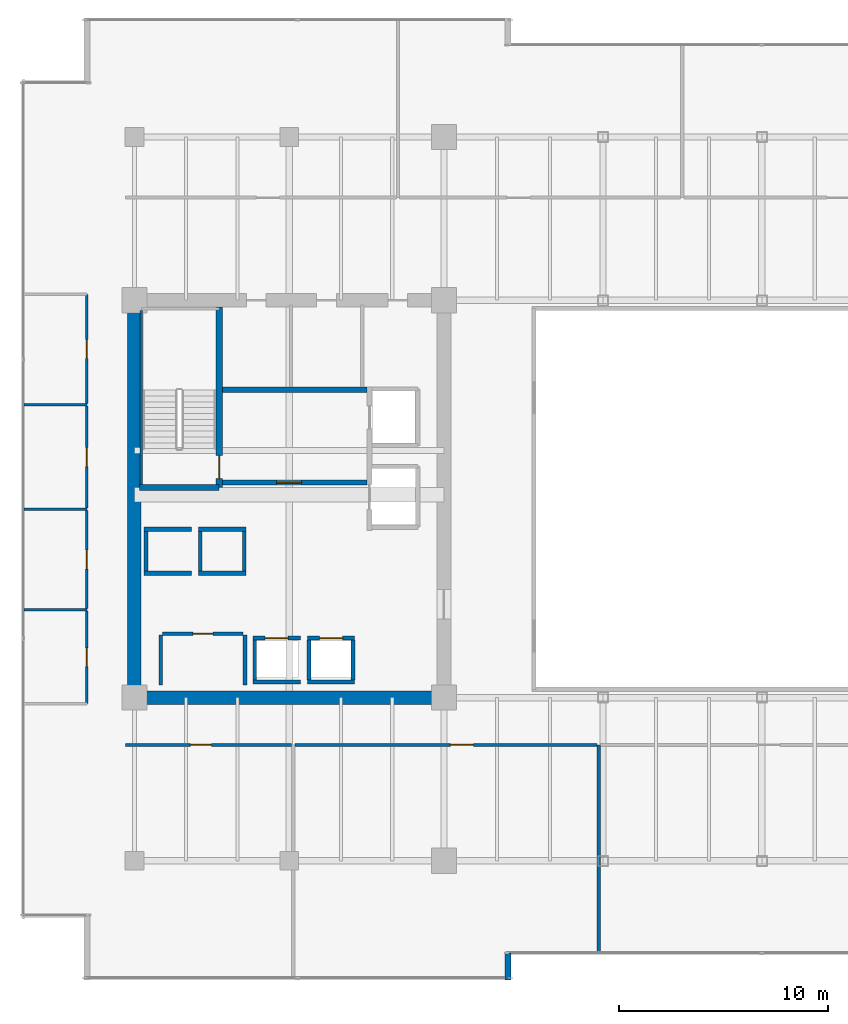
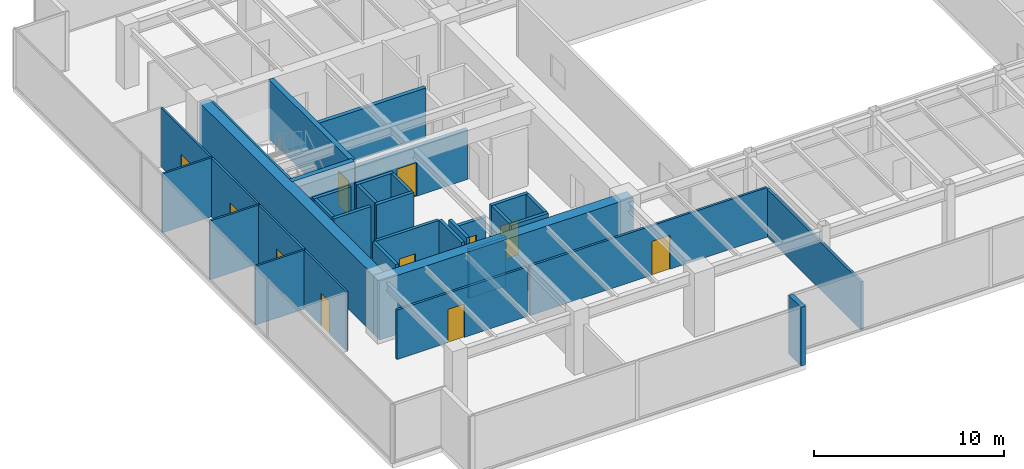
# One storey, part 25 of 31: 35 walls, 11 doors, 11 openings.
"""IFC4 building model written with IfcOpenShell, lengths in metres."""

from ifc_helpers import new_model, si_unit, direction, frame, frame_2d, origin, place, context, subcontext, project, spatial, rectangle, extrude, source, transform, mapped, material, layer, layer_set, type_object, type_shapes, element, fill, save


model = new_model("IFC4")

# Units and contexts
model_context = context("Model", 3, precision=1e-05, world=origin(), true_north=direction((0.0, 1.0)))
body_context = subcontext(model_context, "Body", "Model", "MODEL_VIEW")
ifc_project = project(units=[si_unit("LENGTHUNIT", "METRE"), si_unit("AREAUNIT", "SQUARE_METRE"), si_unit("VOLUMEUNIT", "CUBIC_METRE"), si_unit("PLANEANGLEUNIT", "RADIAN"), si_unit("MASSUNIT", "GRAM", prefix="KILO")], contexts=[model_context])

# Site, building, storey
site_placement = place(None, origin())
site = spatial("IfcSite", under=ifc_project, at=site_placement, CompositionType="ELEMENT")
building_placement = place(site_placement, origin())
building = spatial("IfcBuilding", under=site, at=building_placement, Name="Haelvirn Gate Laboratories", CompositionType="ELEMENT")
storey_placement = place(building_placement, frame((0.0, 0.0, 150.199951171875)))
storey = spatial("IfcBuildingStorey", under=building, at=storey_placement, Name="L36", CompositionType="ELEMENT", Elevation=150.199951171875)

# Walls
ifc_material_1 = material(Name="Thermally-broken bronze aluminium rainscreen & mineral wool", Category="aluminium")
ifc_layer_1 = layer(ifc_material_1, 0.280029296875, Name="EW-TERR-280")
ifc_layer_set_1 = layer_set([ifc_layer_1], Name="Thermally-broken bronze aluminium rainscreen & mineral wool")
wall_type_1 = type_object("IfcWallType", Name="EW-TERR-280", PredefinedType="STANDARD", material=ifc_layer_set_1)
wall_1_placement = place(storey_placement, frame((25.260009765625, 1.300048828125, 0.0), z_axis=(0.0, 0.0, 1.0), x_axis=(0.0, 1.0, 0.0)))
element("IfcWall", 1, at=wall_1_placement, inside=storey, type_object=wall_type_1, Name="L36 Atrium Recess Bronze Return Wall 01", PredefinedType="STANDARD", context=body_context, shape_type="SweptSolid", body=[
    extrude(rectangle(XDim=1.287841796875, YDim=0.280029296875, at=frame_2d((0.64404296875, 0.0))), origin(), (0.0, 0.0, 1.0), 3.7900390625),
])
ifc_material_2 = material(Name="Double-layer acoustic gypsum laboratory partition", Category="gypsum")
ifc_layer_2 = layer(ifc_material_2, 0.159912109375, Name="IW-ACOUST-160")
ifc_layer_set_2 = layer_set([ifc_layer_2], Name="Double-layer acoustic gypsum laboratory partition")
wall_type_2 = type_object("IfcWallType", Name="IW-ACOUST-160", PredefinedType="PARTITIONING", material=ifc_layer_set_2)
wall_2_placement = place(storey_placement, frame((29.60009765625, 2.610107421875, 0.0), z_axis=(0.0, 0.0, 1.0), x_axis=(0.0, 1.0, 0.0)))
element("IfcWall", 2, at=wall_2_placement, inside=storey, type_object=wall_type_2, Name="L36 Interior Wall IW-L36-SDIV-02", PredefinedType="PARTITIONING", context=body_context, shape_type="SweptSolid", body=[
    extrude(rectangle(XDim=9.929931640625, YDim=0.159912109375, at=frame_2d((4.96484375, 0.0))), origin(), (0.0, 0.0, 1.0), 3.074951171875),
])

# Wall, opening, door
ifc_material_3 = material(Name="Lightweight acoustic gypsum board partition", Category="gypsum")
ifc_layer_3 = layer(ifc_material_3, 0.1201171875, Name="IW-PART-120")
ifc_layer_set_3 = layer_set([ifc_layer_3], Name="Lightweight acoustic gypsum board partition")
wall_type_3 = type_object("IfcWallType", Name="IW-PART-120", PredefinedType="PARTITIONING", material=ifc_layer_set_3)
wall_3_placement = place(storey_placement, frame((5.1298828125, 14.514892578125, 0.0), z_axis=(0.0, 0.0, 1.0), x_axis=(0.0, 1.0, 0.0)))
wall_3 = element("IfcWall", 3, at=wall_3_placement, inside=storey, type_object=wall_type_3, Name="L36 Interior Wall IW-L36-WPASS-01", PredefinedType="PARTITIONING", context=body_context, shape_type="SweptSolid", body=[
    extrude(rectangle(XDim=4.425048828125, YDim=0.1201171875, at=frame_2d((2.21240234375, 0.0))), origin(), (0.0, 0.0, 1.0), 3.7900390625),
])
opening_1_placement = place(wall_3_placement, frame((1.762451171875, 0.0, 0.0)))
opening_1 = element("IfcOpeningElement", 4, at=opening_1_placement, cuts=wall_3, Name="Opening D4", PredefinedType="OPENING", context=body_context, shape_type="SweptSolid", body=[
    extrude(rectangle(XDim=0.89990234375, YDim=2.10009765625, at=frame_2d((0.449951171875, 1.050048828125))), frame((0.0, 0.070068359375, 0.0), z_axis=(0.0, -1.0, 0.0), x_axis=(1.0, 0.0, 0.0)), (0.0, 0.0, 1.0), 0.14013671875),
])
ifc_material_4 = material(Name="Glazed aluminium-framed write-up door", Category="aluminium")
door_type_1 = type_object("IfcDoorType", Name="DR-OFF-900", OperationType="NOTDEFINED", PredefinedType="DOOR", material=ifc_material_4)
shared_shape_1 = source(origin(), body_context, "Body", "SweptSolid", [
    extrude(rectangle(XDim=0.89990234375, YDim=2.10009765625, at=frame_2d((0.449951171875, 1.050048828125))), frame((0.0, 0.02490234375, 0.0), z_axis=(0.0, -1.0, 0.0), x_axis=(1.0, 0.0, 0.0)), (0.0, 0.0, 1.0), 0.050048828125),
])
type_shapes(door_type_1, [shared_shape_1])
door_1_placement = place(opening_1_placement, origin())
door_1 = element("IfcDoor", 5, at=door_1_placement, inside=storey, type_object=door_type_1, Name="L36 Bioinformatics Dry-Lab Workspace Door W1", OperationType="SINGLE_SWING_LEFT", OverallHeight=2.10009765625, OverallWidth=0.89990234375, PredefinedType="DOOR", context=body_context, shape_type="MappedRepresentation", body=[
    mapped(shared_shape_1, transform((0.0, 0.0, 0.0), scale=1.0)),
])
fill(opening_1, door_1)

# Wall
wall_4_placement = place(storey_placement, frame((2.110107421875, 19.0, 0.0), z_axis=(0.0, 0.0, 1.0), x_axis=(1.0, 0.0, 0.0)))
element("IfcWall", 6, at=wall_4_placement, inside=storey, type_object=wall_type_3, Name="L36 Interior Wall IW-L36-WDIV-01", PredefinedType="PARTITIONING", context=body_context, shape_type="SweptSolid", body=[
    extrude(rectangle(XDim=3.019775390625, YDim=0.1201171875, at=frame_2d((1.509765625, 0.0))), origin(), (0.0, 0.0, 1.0), 3.7900390625),
])

# Wall, opening, door
wall_5_placement = place(storey_placement, frame((5.1298828125, 19.06005859375, 0.0), z_axis=(0.0, 0.0, 1.0), x_axis=(0.0, 1.0, 0.0)))
wall_5 = element("IfcWall", 7, at=wall_5_placement, inside=storey, type_object=wall_type_3, Name="L36 Interior Wall IW-L36-WPASS-02", PredefinedType="PARTITIONING", context=body_context, shape_type="SweptSolid", body=[
    extrude(rectangle(XDim=4.679931640625, YDim=0.1201171875, at=frame_2d((2.33984375, 0.0))), origin(), (0.0, 0.0, 1.0), 3.7900390625),
])
opening_2_placement = place(wall_5_placement, frame((1.889892578125, 0.0, 0.0)))
opening_2 = element("IfcOpeningElement", 8, at=opening_2_placement, cuts=wall_5, Name="Opening D4", PredefinedType="OPENING", context=body_context, shape_type="SweptSolid", body=[
    extrude(rectangle(XDim=0.89990234375, YDim=2.10009765625, at=frame_2d((0.449951171875, 1.050048828125))), frame((0.0, 0.070068359375, 0.0), z_axis=(0.0, -1.0, 0.0), x_axis=(1.0, 0.0, 0.0)), (0.0, 0.0, 1.0), 0.14013671875),
])
door_2_placement = place(opening_2_placement, origin())
door_2 = element("IfcDoor", 9, at=door_2_placement, inside=storey, type_object=door_type_1, Name="L36 Researcher Break Pantry Door W2", OperationType="SINGLE_SWING_RIGHT", OverallHeight=2.10009765625, OverallWidth=0.89990234375, PredefinedType="DOOR", context=body_context, shape_type="MappedRepresentation", body=[
    mapped(shared_shape_1, transform((0.0, 0.0, 0.0), scale=1.0)),
])
fill(opening_2, door_2)

# Wall
wall_6_placement = place(storey_placement, frame((2.110107421875, 23.800048828125, 0.0), z_axis=(0.0, 0.0, 1.0), x_axis=(1.0, 0.0, 0.0)))
element("IfcWall", 10, at=wall_6_placement, inside=storey, type_object=wall_type_3, Name="L36 Interior Wall IW-L36-WDIV-02", PredefinedType="PARTITIONING", context=body_context, shape_type="SweptSolid", body=[
    extrude(rectangle(XDim=3.019775390625, YDim=0.1201171875, at=frame_2d((1.509765625, 0.0))), origin(), (0.0, 0.0, 1.0), 3.7900390625),
])

# Wall, opening, door
wall_7_placement = place(storey_placement, frame((5.1298828125, 23.860107421875, 0.0), z_axis=(0.0, 0.0, 1.0), x_axis=(0.0, 1.0, 0.0)))
wall_7 = element("IfcWall", 11, at=wall_7_placement, inside=storey, type_object=wall_type_3, Name="L36 Interior Wall IW-L36-WPASS-03", PredefinedType="PARTITIONING", context=body_context, shape_type="SweptSolid", body=[
    extrude(rectangle(XDim=4.8798828125, YDim=0.1201171875, at=frame_2d((2.43994140625, 0.0))), origin(), (0.0, 0.0, 1.0), 3.7900390625),
])
opening_3_placement = place(wall_7_placement, frame((1.989990234375, 0.0, 0.0)))
opening_3 = element("IfcOpeningElement", 12, at=opening_3_placement, cuts=wall_7, Name="Opening D4", PredefinedType="OPENING", context=body_context, shape_type="SweptSolid", body=[
    extrude(rectangle(XDim=0.89990234375, YDim=2.10009765625, at=frame_2d((0.449951171875, 1.050048828125))), frame((0.0, 0.070068359375, 0.0), z_axis=(0.0, -1.0, 0.0), x_axis=(1.0, 0.0, 0.0)), (0.0, 0.0, 1.0), 0.14013671875),
])
door_3_placement = place(opening_3_placement, origin())
door_3 = element("IfcDoor", 13, at=door_3_placement, inside=storey, type_object=door_type_1, Name="L36 Floor Hydration & Tea Servery Door W3", OperationType="SINGLE_SWING_LEFT", OverallHeight=2.10009765625, OverallWidth=0.89990234375, PredefinedType="DOOR", context=body_context, shape_type="MappedRepresentation", body=[
    mapped(shared_shape_1, transform((0.0, 0.0, 0.0), scale=1.0)),
])
fill(opening_3, door_3)

# Wall
wall_8_placement = place(storey_placement, frame((2.110107421875, 28.800048828125, 0.0), z_axis=(0.0, 0.0, 1.0), x_axis=(1.0, 0.0, 0.0)))
element("IfcWall", 14, at=wall_8_placement, inside=storey, type_object=wall_type_3, Name="L36 Interior Wall IW-L36-WDIV-03", PredefinedType="PARTITIONING", context=body_context, shape_type="SweptSolid", body=[
    extrude(rectangle(XDim=3.019775390625, YDim=0.1201171875, at=frame_2d((1.509765625, 0.0))), origin(), (0.0, 0.0, 1.0), 3.7900390625),
])

# Wall, opening, door
wall_9_placement = place(storey_placement, frame((5.1298828125, 28.860107421875, 0.0), z_axis=(0.0, 0.0, 1.0), x_axis=(0.0, 1.0, 0.0)))
wall_9 = element("IfcWall", 15, at=wall_9_placement, inside=storey, type_object=wall_type_3, Name="L36 Interior Wall IW-L36-WPASS-04", PredefinedType="PARTITIONING", context=body_context, shape_type="SweptSolid", body=[
    extrude(rectangle(XDim=5.224853515625, YDim=0.1201171875, at=frame_2d((2.6123046875, 0.0))), origin(), (0.0, 0.0, 1.0), 3.7900390625),
])
opening_4_placement = place(wall_9_placement, frame((2.16259765625, 0.0, 0.0)))
opening_4 = element("IfcOpeningElement", 16, at=opening_4_placement, cuts=wall_9, Name="Opening D4", PredefinedType="OPENING", context=body_context, shape_type="SweptSolid", body=[
    extrude(rectangle(XDim=0.89990234375, YDim=2.10009765625, at=frame_2d((0.449951171875, 1.050048828125))), frame((0.0, 0.070068359375, 0.0), z_axis=(0.0, -1.0, 0.0), x_axis=(1.0, 0.0, 0.0)), (0.0, 0.0, 1.0), 0.14013671875),
])
door_4_placement = place(opening_4_placement, origin())
door_4 = element("IfcDoor", 17, at=door_4_placement, inside=storey, type_object=door_type_1, Name="L36 Genomics Assay Laboratory Door W4", OperationType="SINGLE_SWING_RIGHT", OverallHeight=2.10009765625, OverallWidth=0.89990234375, PredefinedType="DOOR", context=body_context, shape_type="MappedRepresentation", body=[
    mapped(shared_shape_1, transform((0.0, 0.0, 0.0), scale=1.0)),
])
fill(opening_4, door_4)

ifc_material_5 = material(Name="Acoustic mineral-wool gypsum board partition", Category="gypsum")
ifc_layer_4 = layer(ifc_material_5, 0.139892578125, Name="IW-PART-140")
ifc_layer_set_4 = layer_set([ifc_layer_4], Name="Acoustic mineral-wool gypsum board partition")
wall_type_4 = type_object("IfcWallType", Name="IW-PART-140", PredefinedType="PARTITIONING", material=ifc_layer_set_4)
wall_10_placement = place(storey_placement, frame((6.97998046875, 12.5400390625, 0.0), z_axis=(0.0, 0.0, 1.0), x_axis=(1.0, 0.0, 0.0)))
wall_10 = element("IfcWall", 18, at=wall_10_placement, inside=storey, type_object=wall_type_4, Name="L36 Interior Wall IW-L36-SCORR-01", PredefinedType="PARTITIONING", context=body_context, shape_type="SweptSolid", body=[
    extrude(rectangle(XDim=7.93994140625, YDim=0.139892578125, at=frame_2d((3.969970703125, 0.0))), origin(), (0.0, 0.0, 1.0), 3.18701171875),
])
opening_5_placement = place(wall_10_placement, frame((3.095703125, 0.0, 0.0)))
opening_5 = element("IfcOpeningElement", 19, at=opening_5_placement, cuts=wall_10, Name="Opening D2", PredefinedType="OPENING", context=body_context, shape_type="SweptSolid", body=[
    extrude(rectangle(XDim=1.0, YDim=2.14990234375, at=frame_2d((0.5, 1.074951171875))), frame((0.0, 0.080078125, 0.0), z_axis=(0.0, -1.0, 0.0), x_axis=(1.0, 0.0, 0.0)), (0.0, 0.0, 1.0), 0.159912109375),
])
ifc_material_6 = material(Name="Acoustic solid-core timber suite door", Category="wood")
door_type_2 = type_object("IfcDoorType", Name="DR-INT-1000", OperationType="NOTDEFINED", PredefinedType="DOOR", material=ifc_material_6)
shared_shape_2 = source(origin(), body_context, "Body", "SweptSolid", [
    extrude(rectangle(XDim=1.0, YDim=2.14990234375, at=frame_2d((0.5, 1.074951171875))), frame((0.0, 0.02490234375, 0.0), z_axis=(0.0, -1.0, 0.0), x_axis=(1.0, 0.0, 0.0)), (0.0, 0.0, 1.0), 0.050048828125),
])
type_shapes(door_type_2, [shared_shape_2])
door_5_placement = place(opening_5_placement, origin())
door_5 = element("IfcDoor", 20, at=door_5_placement, inside=storey, type_object=door_type_2, Name="L36 Peer-Review Seminar Room Door S1", OperationType="SINGLE_SWING_LEFT", OverallHeight=2.14990234375, OverallWidth=1.0, PredefinedType="DOOR", context=body_context, shape_type="MappedRepresentation", body=[
    mapped(shared_shape_2, transform((0.0, 0.0, 0.0), scale=1.0)),
])
fill(opening_5, door_5)

wall_11_placement = place(storey_placement, frame((15.080078125, 12.5400390625, 0.0), z_axis=(0.0, 0.0, 1.0), x_axis=(1.0, 0.0, 0.0)))
wall_11 = element("IfcWall", 21, at=wall_11_placement, inside=storey, type_object=wall_type_4, Name="L36 Interior Wall IW-L36-SCORR-02", PredefinedType="PARTITIONING", context=body_context, shape_type="SweptSolid", body=[
    extrude(rectangle(XDim=14.43994140625, YDim=0.139892578125, at=frame_2d((7.219970703125, 0.0))), origin(), (0.0, 0.0, 1.0), 3.18701171875),
])
opening_6_placement = place(wall_11_placement, frame((7.428466796875, 0.0, 0.0)))
opening_6 = element("IfcOpeningElement", 22, at=opening_6_placement, cuts=wall_11, Name="Opening D1", PredefinedType="OPENING", context=body_context, shape_type="SweptSolid", body=[
    extrude(rectangle(XDim=1.10009765625, YDim=2.179931640625, at=frame_2d((0.550048828125, 1.08984375))), frame((0.0, 0.080078125, 0.0), z_axis=(0.0, -1.0, 0.0), x_axis=(1.0, 0.0, 0.0)), (0.0, 0.0, 1.0), 0.159912109375),
])
ifc_material_7 = material(Name="Vision-panel acoustic solid-core timber lab door", Category="wood")
door_type_3 = type_object("IfcDoorType", Name="DR-LAB-1100", OperationType="NOTDEFINED", PredefinedType="DOOR", material=ifc_material_7)
shared_shape_3 = source(origin(), body_context, "Body", "SweptSolid", [
    extrude(rectangle(XDim=1.10009765625, YDim=2.179931640625, at=frame_2d((0.550048828125, 1.08984375))), frame((0.0, 0.02490234375, 0.0), z_axis=(0.0, -1.0, 0.0), x_axis=(1.0, 0.0, 0.0)), (0.0, 0.0, 1.0), 0.050048828125),
])
type_shapes(door_type_3, [shared_shape_3])
door_6_placement = place(opening_6_placement, origin())
door_6 = element("IfcDoor", 23, at=door_6_placement, inside=storey, type_object=door_type_3, Name="L36 Colloquium Conference Room Door S2", OperationType="SINGLE_SWING_RIGHT", OverallHeight=2.179931640625, OverallWidth=1.10009765625, PredefinedType="DOOR", context=body_context, shape_type="MappedRepresentation", body=[
    mapped(shared_shape_3, transform((0.0, 0.0, 0.0), scale=1.0)),
])
fill(opening_6, door_6)

# Walls
ifc_material_8 = material(Name="Concrete C40/50", Category="concrete")
ifc_layer_5 = layer(ifc_material_8, 0.179931640625, Name="IW-SHAFT-180")
ifc_layer_set_5 = layer_set([ifc_layer_5], Name="Concrete C40/50")
wall_type_5 = type_object("IfcWallType", Name="IW-SHAFT-180", PredefinedType="SOLIDWALL", material=ifc_layer_set_5)
for number, where, z_axis, x_axis, name in (
    (24, (13.14990234375, 15.64990234375, 0.0), (0.0, 0.0, 1.0), (0.0, 1.0, 0.0), "L36 Interior Wall IW-L36-PL5-SD"),
    (25, (15.75, 15.64990234375, 0.0), (0.0, 0.0, 1.0), (0.0, 1.0, 0.0), "L36 Interior Wall IW-L36-PL6-SD"),
    (26, (17.85009765625, 15.64990234375, 0.0), (0.0, 0.0, 1.0), (0.0, 1.0, 0.0), "L36 Interior Wall IW-L36-PL6-SDE"),
):
    element("IfcWall", number, at=place(storey_placement, frame(where, z_axis=z_axis, x_axis=x_axis)), inside=storey, type_object=wall_type_5, Name=name, PredefinedType="SOLIDWALL", context=body_context, shape_type="SweptSolid", body=[
        extrude(rectangle(XDim=1.900146484375, YDim=0.179931640625, at=frame_2d((0.9501953125, 0.0))), origin(), (0.0, 0.0, 1.0), 3.7900390625),
    ])
for number, where, z_axis, x_axis, name in (
    (27, (7.949951171875, 20.85009765625, 0.0), (0.0, 0.0, 1.0), (0.0, 1.0, 0.0), "L36 Interior Wall IW-L36-PL9-SD"),
    (28, (10.550048828125, 20.85009765625, 0.0), (0.0, 0.0, 1.0), (0.0, 1.0, 0.0), "L36 Interior Wall IW-L36-PL10-SD"),
    (29, (12.64990234375, 20.85009765625, 0.0), (0.0, 0.0, 1.0), (0.0, 1.0, 0.0), "L36 Interior Wall IW-L36-PL10-SDE"),
):
    element("IfcWall", number, at=place(storey_placement, frame(where, z_axis=z_axis, x_axis=x_axis)), inside=storey, type_object=wall_type_5, Name=name, PredefinedType="SOLIDWALL", context=body_context, shape_type="SweptSolid", body=[
        extrude(rectangle(XDim=1.89990234375, YDim=0.179931640625, at=frame_2d((0.949951171875, 0.0))), origin(), (0.0, 0.0, 1.0), 3.7900390625),
    ])

# Wall, opening, door
wall_12_placement = place(storey_placement, frame((8.75, 17.85009765625, 0.0), z_axis=(0.0, 0.0, 1.0), x_axis=(1.0, 0.0, 0.0)))
wall_12 = element("IfcWall", 30, at=wall_12_placement, inside=storey, type_object=wall_type_5, Name="L36 Interior Wall IW-L36-W-FREED-LN-1", PredefinedType="SOLIDWALL", context=body_context, shape_type="SweptSolid", body=[
    extrude(rectangle(XDim=3.85009765625, YDim=0.179931640625, at=frame_2d((1.925048828125, 0.0))), origin(), (0.0, 0.0, 1.0), 3.7900390625),
])
opening_7_placement = place(wall_12_placement, frame((1.449951171875, 0.0, 0.0)))
opening_7 = element("IfcOpeningElement", 31, at=opening_7_placement, cuts=wall_12, Name="Opening FD4", PredefinedType="OPENING", context=body_context, shape_type="SweptSolid", body=[
    extrude(rectangle(XDim=0.949951171875, YDim=2.14990234375, at=frame_2d((0.47509765625, 1.074951171875))), frame((0.0, 0.10009765625, 0.0), z_axis=(0.0, -1.0, 0.0), x_axis=(1.0, 0.0, 0.0)), (0.0, 0.0, 1.0), 0.199951171875),
])
ifc_material_9 = material(Name="Fire-rated steel SM355 core service door", Category="steel")
door_type_4 = type_object("IfcDoorType", Name="DR-FD-950", OperationType="NOTDEFINED", PredefinedType="DOOR", material=ifc_material_9)
shared_shape_4 = source(origin(), body_context, "Body", "SweptSolid", [
    extrude(rectangle(XDim=0.949951171875, YDim=2.14990234375, at=frame_2d((0.47509765625, 1.074951171875))), frame((0.0, 0.02490234375, 0.0), z_axis=(0.0, -1.0, 0.0), x_axis=(1.0, 0.0, 0.0)), (0.0, 0.0, 1.0), 0.050048828125),
])
type_shapes(door_type_4, [shared_shape_4])
door_7_placement = place(opening_7_placement, origin())
door_7 = element("IfcDoor", 32, at=door_7_placement, inside=storey, type_object=door_type_4, Name="L36 Cryo-Dewar & Sterile Glassware Room Door", OperationType="SINGLE_SWING_LEFT", OverallHeight=2.14990234375, OverallWidth=0.949951171875, PredefinedType="DOOR", context=body_context, shape_type="MappedRepresentation", body=[
    mapped(shared_shape_4, transform((0.0, 0.0, 0.0), scale=1.0)),
])
fill(opening_7, door_7)

# Walls
for number, where, z_axis, x_axis, name in (
    (33, (12.68994140625, 15.39990234375, 0.0), (0.0, 0.0, 1.0), (0.0, 1.0, 0.0), "L36 Interior Wall IW-L36-W-FREED-LE-1"),
    (34, (8.659912109375, 15.39990234375, 0.0), (0.0, 0.0, 1.0), (0.0, 1.0, 0.0), "L36 Interior Wall IW-L36-W-FREED-LW-1"),
):
    element("IfcWall", number, at=place(storey_placement, frame(where, z_axis=z_axis, x_axis=x_axis)), inside=storey, type_object=wall_type_5, Name=name, PredefinedType="SOLIDWALL", context=body_context, shape_type="SweptSolid", body=[
        extrude(rectangle(XDim=2.400146484375, YDim=0.179931640625, at=frame_2d((1.2001953125, 0.0))), origin(), (0.0, 0.0, 1.0), 3.7900390625),
    ])

# Wall, opening, door
ifc_layer_6 = layer(ifc_material_8, 0.199951171875, Name="IW-SHAFT-200")
ifc_layer_set_6 = layer_set([ifc_layer_6], Name="Concrete C40/50")
wall_type_6 = type_object("IfcWallType", Name="IW-SHAFT-200", PredefinedType="SOLIDWALL", material=ifc_layer_set_6)
wall_13_placement = place(storey_placement, frame((13.070068359375, 17.64990234375, 0.0), z_axis=(0.0, 0.0, 1.0), x_axis=(1.0, 0.0, 0.0)))
wall_13 = element("IfcWall", 35, at=wall_13_placement, inside=storey, type_object=wall_type_6, Name="L36 Interior Wall IW-L36-PL5-FR", PredefinedType="SOLIDWALL", context=body_context, shape_type="SweptSolid", body=[
    extrude(rectangle(XDim=2.260009765625, YDim=0.199951171875, at=frame_2d((1.1298828125, 0.0))), origin(), (0.0, 0.0, 1.0), 3.18701171875),
])
opening_8_placement = place(wall_13_placement, frame((0.580078125, 0.0, 0.0)))
opening_8 = element("IfcOpeningElement", 36, at=opening_8_placement, cuts=wall_13, Name="Opening LD2", PredefinedType="OPENING", context=body_context, shape_type="SweptSolid", body=[
    extrude(rectangle(XDim=1.10009765625, YDim=2.219970703125, at=frame_2d((0.550048828125, 1.10986328125))), frame((0.0, 0.10986328125, 0.0), z_axis=(0.0, -1.0, 0.0), x_axis=(1.0, 0.0, 0.0)), (0.0, 0.0, 1.0), 0.219970703125),
])
ifc_material_10 = material(Name="Bronze stainless 316L sliding lift landing door")
door_type_5 = type_object("IfcDoorType", Name="DR-LD-1100", OperationType="NOTDEFINED", PredefinedType="USERDEFINED", material=ifc_material_10)
shared_shape_5 = source(origin(), body_context, "Body", "SweptSolid", [
    extrude(rectangle(XDim=1.10009765625, YDim=2.219970703125, at=frame_2d((0.550048828125, 1.10986328125))), frame((0.0, 0.02490234375, 0.0), z_axis=(0.0, -1.0, 0.0), x_axis=(1.0, 0.0, 0.0)), (0.0, 0.0, 1.0), 0.050048828125),
])
type_shapes(door_type_5, [shared_shape_5])
door_8_placement = place(opening_8_placement, origin())
door_8 = element("IfcDoor", 37, at=door_8_placement, inside=storey, type_object=door_type_5, Name="L36 Passenger Lift PL5 Landing Door", ObjectType="LANDING_DOOR", OperationType="SLIDING_TO_LEFT", OverallHeight=2.219970703125, OverallWidth=1.10009765625, PredefinedType="USERDEFINED", context=body_context, shape_type="MappedRepresentation", body=[
    mapped(shared_shape_5, transform((0.0, 0.0, 0.0), scale=1.0)),
])
fill(opening_8, door_8)

# Wall
wall_14_placement = place(storey_placement, frame((13.070068359375, 15.550048828125, 0.0), z_axis=(0.0, 0.0, 1.0), x_axis=(1.0, 0.0, 0.0)))
element("IfcWall", 38, at=wall_14_placement, inside=storey, type_object=wall_type_6, Name="L36 Interior Wall IW-L36-PL5-BK", PredefinedType="SOLIDWALL", context=body_context, shape_type="SweptSolid", body=[
    extrude(rectangle(XDim=2.260009765625, YDim=0.199951171875, at=frame_2d((1.1298828125, 0.0))), origin(), (0.0, 0.0, 1.0), 3.18701171875),
])

# Wall, opening, door
wall_15_placement = place(storey_placement, frame((15.669921875, 17.64990234375, 0.0), z_axis=(0.0, 0.0, 1.0), x_axis=(1.0, 0.0, 0.0)))
wall_15 = element("IfcWall", 39, at=wall_15_placement, inside=storey, type_object=wall_type_6, Name="L36 Interior Wall IW-L36-PL6-FR", PredefinedType="SOLIDWALL", context=body_context, shape_type="SweptSolid", body=[
    extrude(rectangle(XDim=2.260009765625, YDim=0.199951171875, at=frame_2d((1.1298828125, 0.0))), origin(), (0.0, 0.0, 1.0), 3.7900390625),
])
opening_9_placement = place(wall_15_placement, frame((0.580078125, 0.0, 0.0)))
opening_9 = element("IfcOpeningElement", 40, at=opening_9_placement, cuts=wall_15, Name="Opening LD2", PredefinedType="OPENING", context=body_context, shape_type="SweptSolid", body=[
    extrude(rectangle(XDim=1.10009765625, YDim=2.219970703125, at=frame_2d((0.550048828125, 1.10986328125))), frame((0.0, 0.10986328125, 0.0), z_axis=(0.0, -1.0, 0.0), x_axis=(1.0, 0.0, 0.0)), (0.0, 0.0, 1.0), 0.219970703125),
])
door_9_placement = place(opening_9_placement, origin())
door_9 = element("IfcDoor", 41, at=door_9_placement, inside=storey, type_object=door_type_5, Name="L36 Passenger Lift PL6 Landing Door", ObjectType="LANDING_DOOR", OperationType="SLIDING_TO_RIGHT", OverallHeight=2.219970703125, OverallWidth=1.10009765625, PredefinedType="USERDEFINED", context=body_context, shape_type="MappedRepresentation", body=[
    mapped(shared_shape_5, transform((0.0, 0.0, 0.0), scale=1.0)),
])
fill(opening_9, door_9)

# Walls
wall_16_placement = place(storey_placement, frame((15.669921875, 15.550048828125, 0.0), z_axis=(0.0, 0.0, 1.0), x_axis=(1.0, 0.0, 0.0)))
element("IfcWall", 42, at=wall_16_placement, inside=storey, type_object=wall_type_6, Name="L36 Interior Wall IW-L36-PL6-BK", PredefinedType="SOLIDWALL", context=body_context, shape_type="SweptSolid", body=[
    extrude(rectangle(XDim=2.260009765625, YDim=0.199951171875, at=frame_2d((1.1298828125, 0.0))), origin(), (0.0, 0.0, 1.0), 3.7900390625),
])
for number, where, z_axis, x_axis, name in (
    (43, (7.8701171875, 20.75, 0.0), (0.0, 0.0, 1.0), (1.0, 0.0, 0.0), "L36 Interior Wall IW-L36-PL9-FR"),
    (44, (7.8701171875, 22.85009765625, 0.0), (0.0, 0.0, 1.0), (1.0, 0.0, 0.0), "L36 Interior Wall IW-L36-PL9-BK"),
):
    element("IfcWall", number, at=place(storey_placement, frame(where, z_axis=z_axis, x_axis=x_axis)), inside=storey, type_object=wall_type_6, Name=name, PredefinedType="SOLIDWALL", context=body_context, shape_type="SweptSolid", body=[
        extrude(rectangle(XDim=2.259765625, YDim=0.199951171875, at=frame_2d((1.1298828125, 0.0))), origin(), (0.0, 0.0, 1.0), 3.7900390625),
    ])
for number, where, z_axis, x_axis, name in (
    (45, (10.469970703125, 20.75, 0.0), (0.0, 0.0, 1.0), (1.0, 0.0, 0.0), "L36 Interior Wall IW-L36-PL10-FR"),
    (46, (10.469970703125, 22.85009765625, 0.0), (0.0, 0.0, 1.0), (1.0, 0.0, 0.0), "L36 Interior Wall IW-L36-PL10-BK"),
):
    element("IfcWall", number, at=place(storey_placement, frame(where, z_axis=z_axis, x_axis=x_axis)), inside=storey, type_object=wall_type_6, Name=name, PredefinedType="SOLIDWALL", context=body_context, shape_type="SweptSolid", body=[
        extrude(rectangle(XDim=2.260009765625, YDim=0.199951171875, at=frame_2d((1.1298828125, 0.0))), origin(), (0.0, 0.0, 1.0), 3.7900390625),
    ])

# Wall, opening, door
ifc_layer_7 = layer(ifc_material_8, 0.239990234375, Name="IW-SHAFT-240")
ifc_layer_set_7 = layer_set([ifc_layer_7], Name="Concrete C40/50")
wall_type_7 = type_object("IfcWallType", Name="IW-SHAFT-240", PredefinedType="SOLIDWALL", material=ifc_layer_set_7)
wall_17_placement = place(storey_placement, frame((11.60009765625, 25.080078125, 0.0), z_axis=(0.0, 0.0, 1.0), x_axis=(1.0, 0.0, 0.0)))
wall_17 = element("IfcWall", 47, at=wall_17_placement, inside=storey, type_object=wall_type_7, Name="L36 Interior Wall IW-L36-W-FF-S", PredefinedType="SOLIDWALL", context=body_context, shape_type="SweptSolid", body=[
    extrude(rectangle(XDim=6.919921875, YDim=0.239990234375, at=frame_2d((3.4599609375, 0.0))), origin(), (0.0, 0.0, 1.0), 3.18701171875),
])
opening_10_placement = place(wall_17_placement, frame((2.60009765625, 0.0, 0.0)))
opening_10 = element("IfcOpeningElement", 48, at=opening_10_placement, cuts=wall_17, Name="Opening FD2", PredefinedType="OPENING", context=body_context, shape_type="SweptSolid", body=[
    extrude(rectangle(XDim=1.199951171875, YDim=2.159912109375, at=frame_2d((0.60009765625, 1.080078125))), frame((0.0, 0.1298828125, 0.0), z_axis=(0.0, -1.0, 0.0), x_axis=(1.0, 0.0, 0.0)), (0.0, 0.0, 1.0), 0.260009765625),
])
ifc_material_11 = material(Name="Fire-rated steel SM355 compartment door", Category="steel")
door_type_6 = type_object("IfcDoorType", Name="DR-FD-1200", OperationType="NOTDEFINED", PredefinedType="DOOR", material=ifc_material_11)
shared_shape_6 = source(origin(), body_context, "Body", "SweptSolid", [
    extrude(rectangle(XDim=1.199951171875, YDim=2.159912109375, at=frame_2d((0.60009765625, 1.080078125))), frame((0.0, 0.02490234375, 0.0), z_axis=(0.0, -1.0, 0.0), x_axis=(1.0, 0.0, 0.0)), (0.0, 0.0, 1.0), 0.050048828125),
])
type_shapes(door_type_6, [shared_shape_6])
door_10_placement = place(opening_10_placement, origin())
door_10 = element("IfcDoor", 49, at=door_10_placement, inside=storey, type_object=door_type_6, Name="L36 West Firefighting Lobby Door", OperationType="SINGLE_SWING_RIGHT", OverallHeight=2.159912109375, OverallWidth=1.199951171875, PredefinedType="DOOR", context=body_context, shape_type="MappedRepresentation", body=[
    mapped(shared_shape_6, transform((0.0, 0.0, 0.0), scale=1.0)),
])
fill(opening_10, door_10)

# Walls
wall_18_placement = place(storey_placement, frame((11.60009765625, 29.52001953125, 0.0), z_axis=(0.0, 0.0, 1.0), x_axis=(1.0, 0.0, 0.0)))
element("IfcWall", 50, at=wall_18_placement, inside=storey, type_object=wall_type_7, Name="L36 Interior Wall IW-L36-W-FF-N", PredefinedType="SOLIDWALL", context=body_context, shape_type="SweptSolid", body=[
    extrude(rectangle(XDim=6.919921875, YDim=0.239990234375, at=frame_2d((3.4599609375, 0.0))), origin(), (0.0, 0.0, 1.0), 3.18701171875),
])
ifc_material_12 = material(Name="Concrete C60/75", Category="concrete")
ifc_layer_8 = layer(ifc_material_12, 0.64990234375, Name="SW-CORE-650")
ifc_layer_set_8 = layer_set([ifc_layer_8], Name="Concrete C60/75")
wall_type_8 = type_object("IfcWallType", Name="SW-CORE-650", PredefinedType="SHEAR", material=ifc_layer_set_8)
wall_19_placement = place(storey_placement, frame((7.074951171875, 14.800048828125, 0.0), z_axis=(0.0, 0.0, 1.0), x_axis=(1.0, 0.0, 0.0)))
element("IfcWall", 51, at=wall_19_placement, inside=storey, type_object=wall_type_8, Name="L36 W Core Shear Wall S", PredefinedType="SHEAR", context=body_context, shape_type="SweptSolid", body=[
    extrude(rectangle(XDim=15.449951171875, YDim=0.64990234375, at=frame_2d((7.72509765625, 0.0))), origin(), (0.0, 0.0, 1.0), 3.7900390625),
])
wall_20_placement = place(storey_placement, frame((7.39990234375, 15.125, 0.0), z_axis=(0.0, 0.0, 1.0), x_axis=(0.0, 1.0, 0.0)))
element("IfcWall", 52, at=wall_20_placement, inside=storey, type_object=wall_type_8, Name="L36 W Core Shear Wall W", PredefinedType="SHEAR", context=body_context, shape_type="SweptSolid", body=[
    extrude(rectangle(XDim=18.35009765625, YDim=0.64990234375, at=frame_2d((9.175048828125, 0.0))), origin(), (0.0, 0.0, 1.0), 3.7900390625),
])
ifc_material_13 = material(Name="Concrete C50/60", Category="concrete")
ifc_layer_9 = layer(ifc_material_13, 0.1201171875, Name="SW-LINER-120")
ifc_layer_set_9 = layer_set([ifc_layer_9], Name="Concrete C50/60")
wall_type_9 = type_object("IfcWallType", Name="SW-LINER-120", PredefinedType="SOLIDWALL", material=ifc_layer_set_9)
wall_21_placement = place(storey_placement, frame((7.72998046875, 25.0, 0.0), z_axis=(0.0, 0.0, 1.0), x_axis=(0.0, 1.0, 0.0)))
element("IfcWall", 53, at=wall_21_placement, inside=storey, type_object=wall_type_9, Name="L36 W Core Stair Shaft Liner Wall OUT", PredefinedType="SOLIDWALL", context=body_context, shape_type="SweptSolid", body=[
    extrude(rectangle(XDim=8.320068359375, YDim=0.1201171875, at=frame_2d((4.16015625, 0.0))), origin(), (0.0, 0.0, 1.0), 3.7900390625),
])

# Wall, opening, door
ifc_layer_10 = layer(ifc_material_13, 0.300048828125, Name="SW-STAIR-300")
ifc_layer_set_10 = layer_set([ifc_layer_10], Name="Concrete C50/60")
wall_type_10 = type_object("IfcWallType", Name="SW-STAIR-300", PredefinedType="SHEAR", material=ifc_layer_set_10)
wall_22_placement = place(storey_placement, frame((11.449951171875, 24.85009765625, 0.0), z_axis=(0.0, 0.0, 1.0), x_axis=(0.0, 1.0, 0.0)))
wall_22 = element("IfcWall", 54, at=wall_22_placement, inside=storey, type_object=wall_type_10, Name="L36 W Core Stair Shaft Structural Wall IN", PredefinedType="SHEAR", context=body_context, shape_type="SweptSolid", body=[
    extrude(rectangle(XDim=8.6298828125, YDim=0.300048828125, at=frame_2d((4.31494140625, 0.0))), origin(), (0.0, 0.0, 1.0), 3.7900390625),
])
opening_11_placement = place(wall_22_placement, frame((0.419921875, 0.0, 0.0)))
opening_11 = element("IfcOpeningElement", 55, at=opening_11_placement, cuts=wall_22, Name="Opening FD3", PredefinedType="OPENING", context=body_context, shape_type="SweptSolid", body=[
    extrude(rectangle(XDim=1.10009765625, YDim=2.14990234375, at=frame_2d((0.550048828125, 1.074951171875))), frame((0.0, 0.16015625, 0.0), z_axis=(0.0, -1.0, 0.0), x_axis=(1.0, 0.0, 0.0)), (0.0, 0.0, 1.0), 0.320068359375),
])
ifc_material_14 = material(Name="Fire-rated steel SM355 escape stair door", Category="steel")
door_type_7 = type_object("IfcDoorType", Name="DR-FD-1100", OperationType="NOTDEFINED", PredefinedType="DOOR", material=ifc_material_14)
shared_shape_7 = source(origin(), body_context, "Body", "SweptSolid", [
    extrude(rectangle(XDim=1.10009765625, YDim=2.14990234375, at=frame_2d((0.550048828125, 1.074951171875))), frame((0.0, 0.02490234375, 0.0), z_axis=(0.0, -1.0, 0.0), x_axis=(1.0, 0.0, 0.0)), (0.0, 0.0, 1.0), 0.050048828125),
])
type_shapes(door_type_7, [shared_shape_7])
door_11_placement = place(opening_11_placement, origin())
door_11 = element("IfcDoor", 56, at=door_11_placement, inside=storey, type_object=door_type_7, Name="L36 Escape Stair ST1 Fire Door", OperationType="SINGLE_SWING_LEFT", OverallHeight=2.14990234375, OverallWidth=1.10009765625, PredefinedType="DOOR", context=body_context, shape_type="MappedRepresentation", body=[
    mapped(shared_shape_7, transform((0.0, 0.0, 0.0), scale=1.0)),
])
fill(opening_11, door_11)

# Wall
wall_23_placement = place(storey_placement, frame((7.64990234375, 24.85009765625, 0.0), z_axis=(0.0, 0.0, 1.0), x_axis=(1.0, 0.0, 0.0)))
element("IfcWall", 57, at=wall_23_placement, inside=storey, type_object=wall_type_10, Name="L36 W Core Stair Shaft Structural Wall S", PredefinedType="SHEAR", context=body_context, shape_type="SweptSolid", body=[
    extrude(rectangle(XDim=3.800048828125, YDim=0.300048828125, at=frame_2d((1.89990234375, 0.0))), origin(), (0.0, 0.0, 1.0), 3.7900390625),
])

save(model, "model.ifc")
